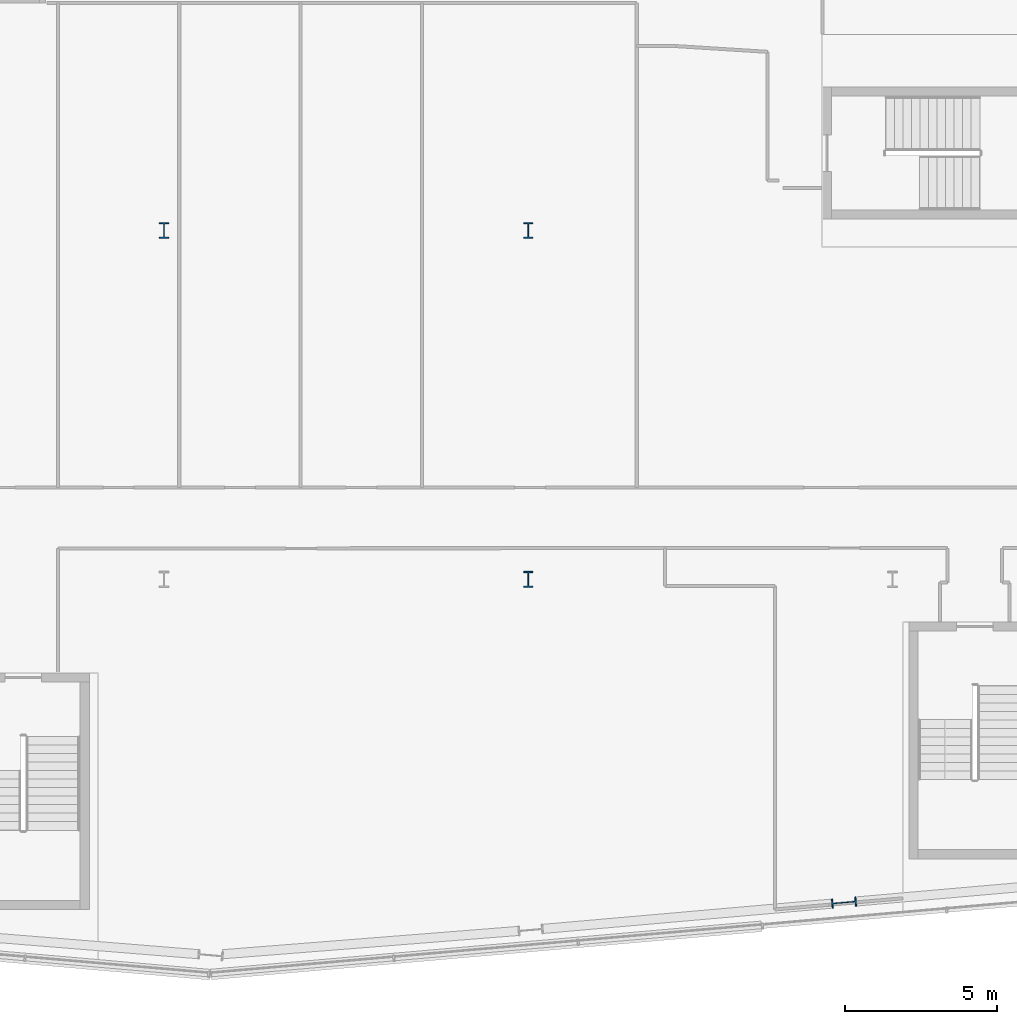
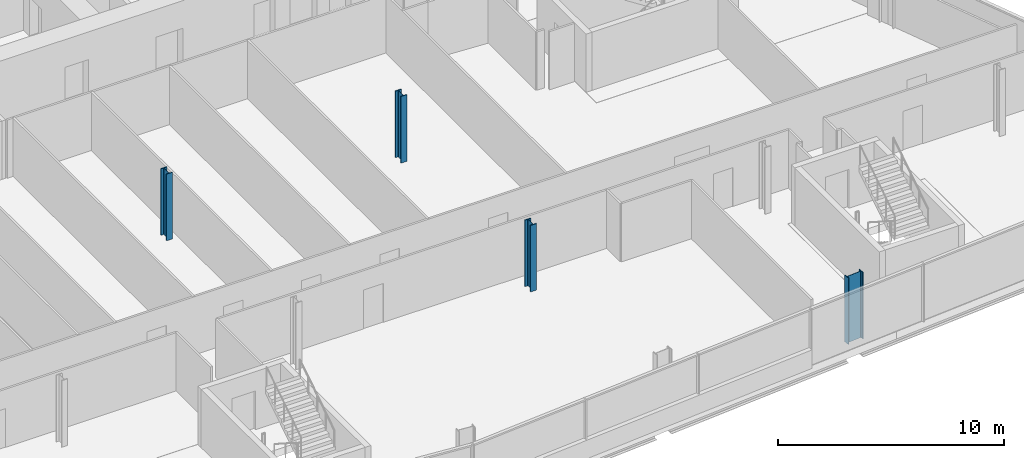
# One storey, part 2 of 25: 4 columns.
"""IFC4 building model written with IfcOpenShell, lengths in metres."""

from ifc_helpers import new_model, si_unit, direction, frame, origin, origin_2d, place, context, subcontext, project, spatial, i_section, extrude, material, material_profile, profile_set, type_object, element, save


model = new_model("IFC4")

# Units and contexts
model_context = context("Model", 3, precision=1e-05, world=origin(), true_north=direction((0.0, 1.0)))
body_context = subcontext(model_context, "Body", "Model", "MODEL_VIEW")
ifc_project = project(units=[si_unit("LENGTHUNIT", "METRE"), si_unit("AREAUNIT", "SQUARE_METRE"), si_unit("VOLUMEUNIT", "CUBIC_METRE"), si_unit("PLANEANGLEUNIT", "RADIAN"), si_unit("MASSUNIT", "GRAM", prefix="KILO")], contexts=[model_context])

# Site, building, storey
site_placement = place(None, origin())
site = spatial("IfcSite", under=ifc_project, at=site_placement, CompositionType="ELEMENT")
building_placement = place(site_placement, origin())
building = spatial("IfcBuilding", under=site, at=building_placement, Name="Wharfspan Tower", CompositionType="ELEMENT")
storey_placement = place(building_placement, frame((0.0, 0.0, 143.5)))
storey = spatial("IfcBuildingStorey", under=building, at=storey_placement, Name="L34", CompositionType="ELEMENT", Elevation=143.5)

# Columns
ifc_material = material(Name="Steel S355J2", Category="steel")
ifc_material_profile_1 = material_profile(ifc_material, i_section(OverallWidth=0.305908, OverallDepth=0.523926, WebThickness=0.020996, FlangeThickness=0.040039, FilletRadius=0.0271, at=origin_2d()))
ifc_profile_set_1 = profile_set([ifc_material_profile_1], Name="Steel S355J2")
column_type_1 = type_object("IfcColumnType", Name="Column HEM 500", PredefinedType="COLUMN", material=ifc_profile_set_1)
for number, where, z_axis, x_axis, name in (
    (1, (60.0, 11.5, 0.0), (0.0, 0.0, 1.0), (1.0, 0.0, 0.0), "Interior column I.1.5 L34"),
    (2, (48.0, 23.0, 0.0), (0.0, 0.0, 1.0), (1.0, 0.0, 0.0), "Interior column I.2.3 L34"),
    (3, (60.0, 23.0, 0.0), (0.0, 0.0, 1.0), (1.0, 0.0, 0.0), "Interior column I.2.4 L34"),
):
    element("IfcColumn", number, at=place(storey_placement, frame(where, z_axis=z_axis, x_axis=x_axis)), inside=storey, type_object=column_type_1, Name=name, PredefinedType="COLUMN", context=body_context, shape_type="SweptSolid", body=[
        extrude(i_section(OverallWidth=0.305908, OverallDepth=0.523926, WebThickness=0.020996, FlangeThickness=0.040039, FilletRadius=0.0271, at=origin_2d()), origin(), (0.0, 0.0, 1.0), 3.600098),
    ])
ifc_material_profile_2 = material_profile(ifc_material, i_section(OverallWidth=0.302979, OverallDepth=0.813965, WebThickness=0.020996, FlangeThickness=0.040039, FilletRadius=0.030029, at=origin_2d()))
ifc_profile_set_2 = profile_set([ifc_material_profile_2], Name="Steel S355J2")
column_type_2 = type_object("IfcColumnType", Name="Column HEM 800", PredefinedType="COLUMN", material=ifc_profile_set_2)
column_placement = place(storey_placement, frame((70.404053, 0.852783, 0.0), z_axis=(0.0, 0.0, 1.0), x_axis=(0.087156, -0.996198, 0.0)))
element("IfcColumn", 4, at=column_placement, inside=storey, type_object=column_type_2, Name="Perimeter column PS2.2 L34", PredefinedType="COLUMN", context=body_context, shape_type="SweptSolid", body=[
    extrude(i_section(OverallWidth=0.302979, OverallDepth=0.813965, WebThickness=0.020996, FlangeThickness=0.040039, FilletRadius=0.030029, at=origin_2d()), origin(), (0.0, 0.0, 1.0), 3.600098),
])

save(model, "model.ifc")
